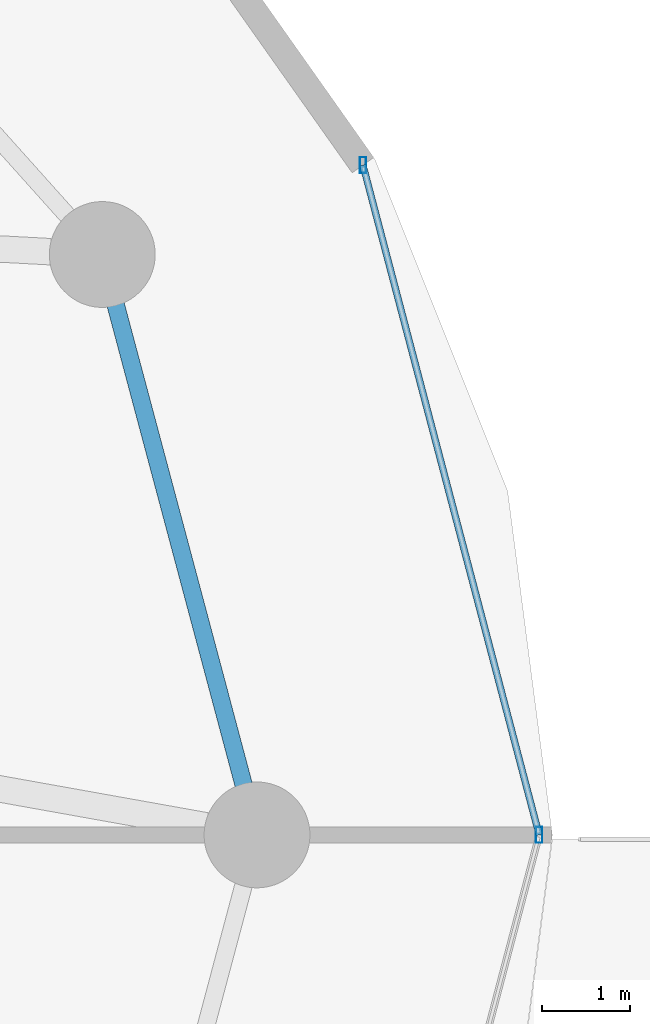
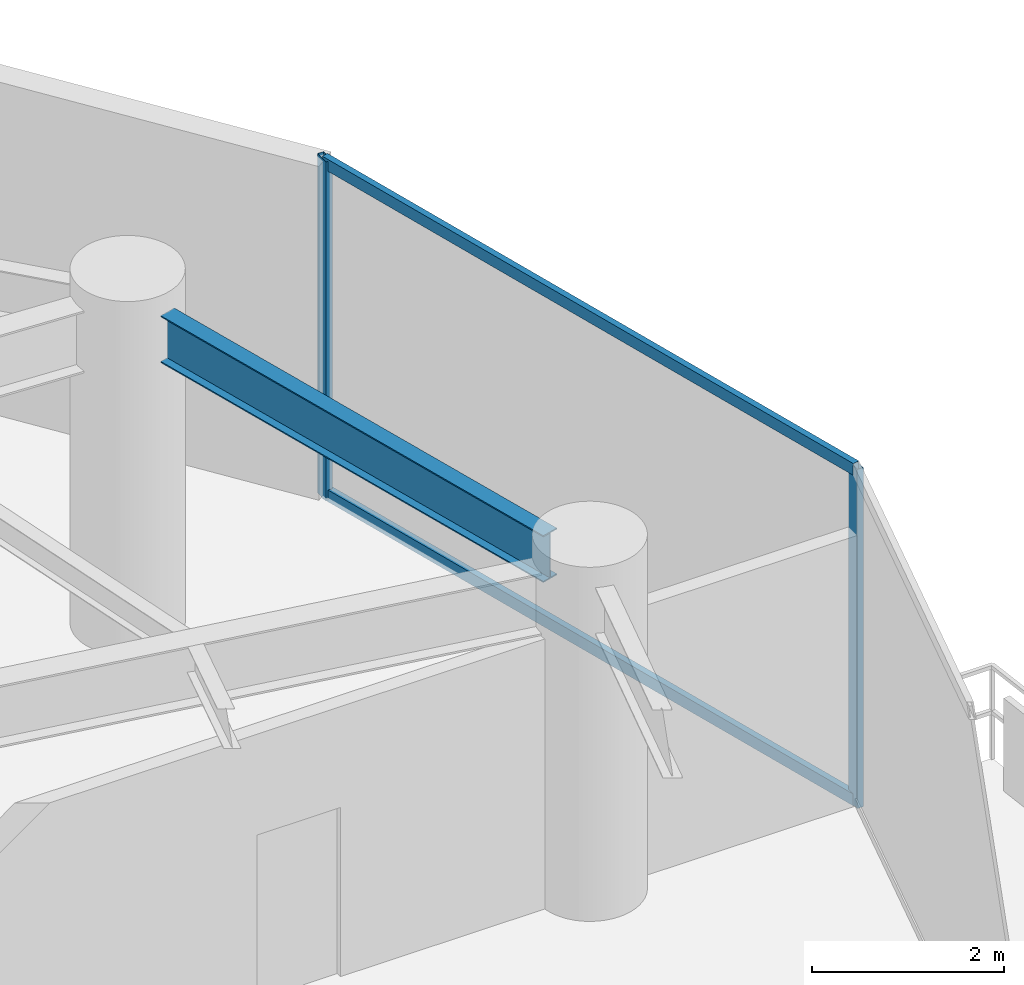
# One storey, part 14 of 27: 4 members, 1 beam, 1 element without a shape of its own.
"""IFC4 building model written with IfcOpenShell, lengths in metres."""

from ifc_helpers import new_model, si_unit, direction, frame, origin, origin_2d, place, context, subcontext, project, spatial, hollow_rectangle, i_section, extrude, material, material_profile, profile_set, type_object, element, aggregate, save


model = new_model("IFC4")

# Units and contexts
model_context = context("Model", 3, precision=1e-05, world=origin(), true_north=direction((0.0, 1.0)))
body_context = subcontext(model_context, "Body", "Model", "MODEL_VIEW")
ifc_project = project(units=[si_unit("LENGTHUNIT", "METRE"), si_unit("AREAUNIT", "SQUARE_METRE"), si_unit("VOLUMEUNIT", "CUBIC_METRE"), si_unit("PLANEANGLEUNIT", "RADIAN"), si_unit("MASSUNIT", "GRAM", prefix="KILO")], contexts=[model_context])

# Site, building, storey
site_placement = place(None, origin())
site = spatial("IfcSite", under=ifc_project, at=site_placement, CompositionType="ELEMENT")
building_placement = place(site_placement, origin())
building = spatial("IfcBuilding", under=site, at=building_placement, Name="Vorneva Point Tower", CompositionType="ELEMENT")
storey_placement = place(building_placement, frame((0.0, 0.0, 74.300048828125)))
storey = spatial("IfcBuildingStorey", under=building, at=storey_placement, Name="L19", CompositionType="ELEMENT", Elevation=74.300048828125)

# Beam
ifc_material_1 = material(Name="Steel S355", Category="steel")
ifc_material_profile_1 = material_profile(ifc_material_1, i_section(OverallWidth=0.198974609375, OverallDepth=0.595947265625, WebThickness=0.010009765625, FlangeThickness=0.014892578125, at=origin_2d()), Name="60B1")
ifc_profile_set_1 = profile_set([ifc_material_profile_1], Name="Steel S355")
beam_type = type_object("IfcBeamType", Name="BM-SPN-60B1", PredefinedType="SPANDREL", material=ifc_profile_set_1)
beam_placement = place(storey_placement, frame((60.8994140625, 26.565185546875, 3.94189453125), z_axis=(-0.257595318742, 0.96625289224, 0.0), x_axis=(-0.96625289224, -0.257595318742, 0.0)))
element("IfcBeam", 1, at=beam_placement, inside=storey, type_object=beam_type, Name="L19 Perimeter Spandrel Ring Beam 01", PredefinedType="SPANDREL", context=body_context, shape_type="SweptSolid", body=[
    extrude(i_section(OverallWidth=0.198974609375, OverallDepth=0.595947265625, WebThickness=0.010009765625, FlangeThickness=0.014892578125, at=origin_2d()), origin(), (0.0, 0.0, 1.0), 5.64208984375),
])

# Curtain wall, members
ifc_material_2 = material(Name="Pale anodised aluminium", Category="aluminium")
curtain_wall_type = type_object("IfcCurtainWallType", Name="CW-SKY-SYS", PredefinedType="NOTDEFINED", material=ifc_material_2)
curtain_wall_placement = place(storey_placement, origin())
curtain_wall = element("IfcCurtainWall", 2, at=curtain_wall_placement, inside=storey, type_object=curtain_wall_type, Name="L19 Unitised Curtain Wall CW-L19-R01", PredefinedType="NOTDEFINED")
ifc_material_profile_2 = material_profile(ifc_material_2, hollow_rectangle(XDim=0.074951171875, YDim=0.179931640625, WallThickness=0.00390625, at=origin_2d()), Name="AL-MUL 180x75x4")
ifc_profile_set_2 = profile_set([ifc_material_profile_2], Name="Pale anodised aluminium")
member_type_1 = type_object("IfcMemberType", Name="CW-MUL-180", PredefinedType="MULLION", material=ifc_profile_set_2)
member_1_placement = place(storey_placement, frame((64.25, 26.0, -0.0400390625), z_axis=(0.0, 0.0, 1.0), x_axis=(1.0, 0.0, 0.0)))
member_1 = element("IfcMember", 3, at=member_1_placement, type_object=member_type_1, Name="CW-L19-R01 Mullion 02", PredefinedType="MULLION", context=body_context, shape_type="SweptSolid", body=[
    extrude(hollow_rectangle(XDim=0.074951171875, YDim=0.179931640625, WallThickness=0.00390625, at=origin_2d()), origin(), (0.0, 0.0, 1.0), 4.31005859375),
])
member_2_placement = place(storey_placement, frame((62.251708984375, 33.59619140625, -0.0400390625), z_axis=(0.0, 0.0, 1.0), x_axis=(1.0, 0.0, 0.0)))
member_2 = element("IfcMember", 4, at=member_2_placement, type_object=member_type_1, Name="CW-L19-R01 Mullion 03", PredefinedType="MULLION", context=body_context, shape_type="SweptSolid", body=[
    extrude(hollow_rectangle(XDim=0.074951171875, YDim=0.179931640625, WallThickness=0.00390625, at=origin_2d()), origin(), (0.0, 0.0, 1.0), 4.31005859375),
])
ifc_material_profile_3 = material_profile(ifc_material_2, hollow_rectangle(XDim=0.074951171875, YDim=0.14990234375, WallThickness=0.00390625, at=origin_2d()), Name="AL-TRN 150x75x4")
ifc_profile_set_3 = profile_set([ifc_material_profile_3], Name="Pale anodised aluminium")
member_type_2 = type_object("IfcMemberType", Name="CW-TRN-150", PredefinedType="USERDEFINED", material=ifc_profile_set_3)
member_3_placement = place(storey_placement, frame((64.25, 26.0, 0.02001953125), z_axis=(-0.254409150465, 0.967096677773, 0.0), x_axis=(-0.967096677773, -0.254409150465, 0.0)))
member_3 = element("IfcMember", 5, at=member_3_placement, type_object=member_type_2, Name="CW-L19-R01 Transom 02.1", ObjectType="TRANSOM", PredefinedType="USERDEFINED", context=body_context, shape_type="SweptSolid", body=[
    extrude(hollow_rectangle(XDim=0.074951171875, YDim=0.14990234375, WallThickness=0.00390625, at=origin_2d()), origin(), (0.0, 0.0, 1.0), 7.854736328125),
])
member_4_placement = place(storey_placement, frame((64.25, 26.0, 4.219970703125), z_axis=(-0.254409150465, 0.967096677773, 0.0), x_axis=(-0.967096677773, -0.254409150465, 0.0)))
member_4 = element("IfcMember", 6, at=member_4_placement, type_object=member_type_2, Name="CW-L19-R01 Transom 02.2", ObjectType="TRANSOM", PredefinedType="USERDEFINED", context=body_context, shape_type="SweptSolid", body=[
    extrude(hollow_rectangle(XDim=0.074951171875, YDim=0.14990234375, WallThickness=0.00390625, at=origin_2d()), origin(), (0.0, 0.0, 1.0), 7.854736328125),
])
aggregate(curtain_wall, [member_1, member_2, member_3, member_4])

save(model, "model.ifc")
